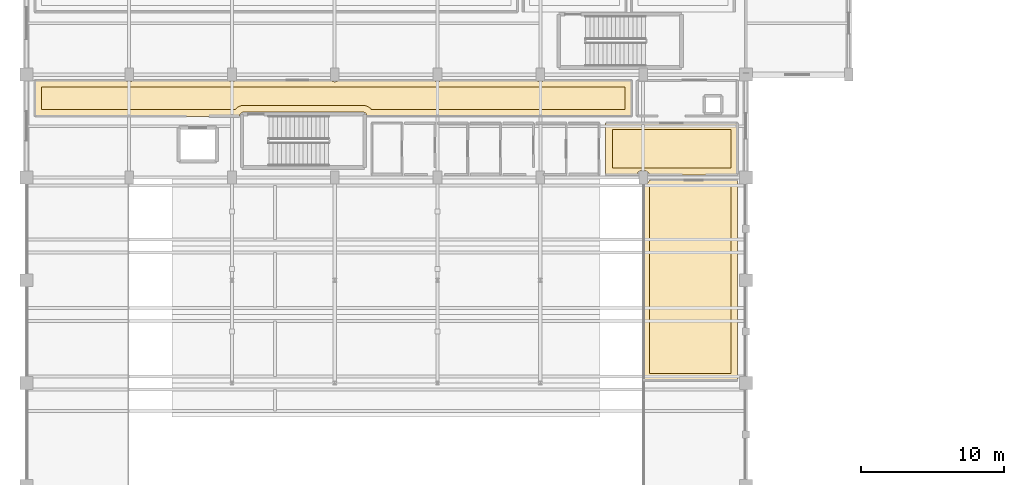
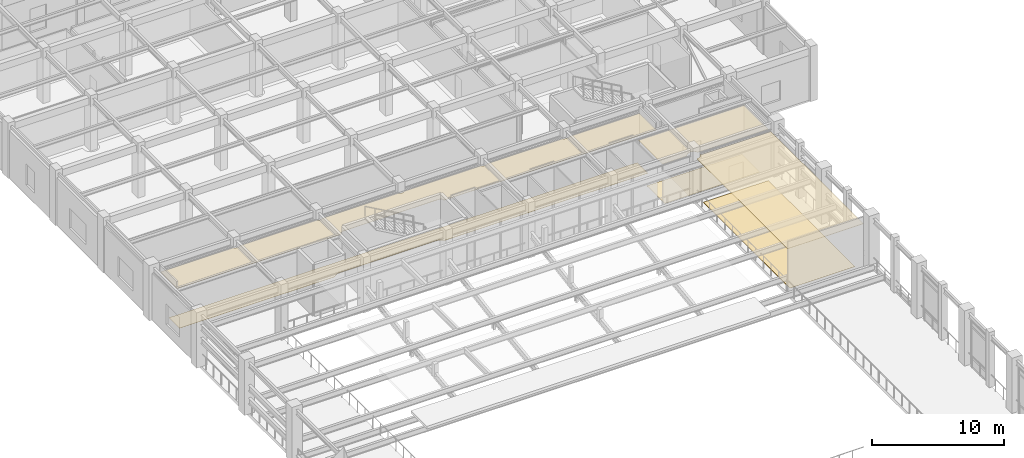
# One storey, part 103 of 117: 6 coverings.
"""IFC4 building model written with IfcOpenShell, lengths in metres."""

from ifc_helpers import new_model, si_unit, direction, frame, origin, place, context, subcontext, project, spatial, polyline, outline, extrude, material, layer, layer_set, type_object, element, save


model = new_model("IFC4")

# Units and contexts
model_context = context("Model", 3, precision=1e-05, world=origin(), true_north=direction((0.0, 1.0)))
body_context = subcontext(model_context, "Body", "Model", "MODEL_VIEW")
ifc_project = project(units=[si_unit("LENGTHUNIT", "METRE"), si_unit("AREAUNIT", "SQUARE_METRE"), si_unit("VOLUMEUNIT", "CUBIC_METRE"), si_unit("PLANEANGLEUNIT", "RADIAN"), si_unit("MASSUNIT", "GRAM", prefix="KILO")], contexts=[model_context])

# Site, building, storey
site_placement = place(None, origin())
site = spatial("IfcSite", under=ifc_project, at=site_placement, CompositionType="ELEMENT")
building_placement = place(site_placement, origin())
building = spatial("IfcBuilding", under=site, at=building_placement, Name="Carrowvane Square Congress Hotel", CompositionType="ELEMENT")
storey_placement = place(building_placement, frame((0.0, 0.0, 5.39990234375)))
storey = spatial("IfcBuildingStorey", under=building, at=storey_placement, Name="L01", CompositionType="ELEMENT", Elevation=5.39990234375)

# Coverings
ifc_material_1 = material(Name="Acoustic gypsum board", Category="gypsum")
ifc_layer_1 = layer(ifc_material_1, 0.014892578125)
ifc_layer_set_1 = layer_set([ifc_layer_1], Name="Acoustic gypsum board")
covering_type_1 = type_object("IfcCoveringType", Name="COV-CLG-AC15", PredefinedType="CEILING", material=ifc_layer_set_1)
covering_1_placement = place(storey_placement, frame((0.0, 0.0, 4.087890625)))
element("IfcCovering", 1, at=covering_1_placement, inside=storey, type_object=covering_type_1, Name="L01 AV and Broadcast Control Room acoustic ceiling", PredefinedType="CEILING", context=body_context, shape_type="SweptSolid", body=[
    extrude(outline(polyline([(52.197998046875, 52.419921875), (52.199951171875, 52.419921875), (61.39990234375, 52.419921875), (61.402099609375, 52.419921875), (61.40380859375, 52.419677734375), (61.40576171875, 52.419189453125), (61.40771484375, 52.41845703125), (61.409423828125, 52.41748046875), (61.4111328125, 52.41650390625), (61.41259765625, 52.41552734375), (61.4140625, 52.4140625), (61.41552734375, 52.41259765625), (61.41650390625, 52.4111328125), (61.41748046875, 52.409423828125), (61.41845703125, 52.40771484375), (61.419189453125, 52.40576171875), (61.419677734375, 52.40380859375), (61.419921875, 52.402099609375), (61.419921875, 52.39990234375), (61.419921875, 48.800048828125), (61.419921875, 48.798095703125), (61.419677734375, 48.796142578125), (61.419189453125, 48.794189453125), (61.41845703125, 48.792236328125), (61.41748046875, 48.79052734375), (61.41650390625, 48.788818359375), (61.41552734375, 48.787353515625), (61.4140625, 48.785888671875), (61.41259765625, 48.784423828125), (61.4111328125, 48.783447265625), (61.409423828125, 48.782470703125), (61.40771484375, 48.781494140625), (61.40576171875, 48.781005859375), (61.40380859375, 48.780517578125), (61.402099609375, 48.780029296875), (61.39990234375, 48.780029296875), (55.26611328125, 48.780029296875), (55.261962890625, 48.791259765625), (55.240966796875, 48.835693359375), (55.2158203125, 48.877685546875), (55.1865234375, 48.917236328125), (55.153564453125, 48.95361328125), (55.1171875, 48.986572265625), (55.077880859375, 49.015625), (55.03564453125, 49.041015625), (54.9912109375, 49.06201171875), (54.945068359375, 49.07861328125), (54.8974609375, 49.09033203125), (54.84912109375, 49.09765625), (54.800048828125, 49.10009765625), (54.7509765625, 49.09765625), (54.702392578125, 49.09033203125), (54.65478515625, 49.07861328125), (54.608642578125, 49.06201171875), (54.564208984375, 49.041015625), (54.522216796875, 49.015625), (54.48291015625, 48.986572265625), (54.4462890625, 48.95361328125), (54.41357421875, 48.917236328125), (54.38427734375, 48.877685546875), (54.35888671875, 48.835693359375), (54.338134765625, 48.791259765625), (54.333984375, 48.780029296875), (52.199951171875, 48.780029296875), (52.197998046875, 48.780029296875), (52.196044921875, 48.780517578125), (52.194091796875, 48.781005859375), (52.1923828125, 48.781494140625), (52.190673828125, 48.782470703125), (52.18896484375, 48.783447265625), (52.187255859375, 48.784423828125), (52.185791015625, 48.785888671875), (52.1845703125, 48.787353515625), (52.183349609375, 48.788818359375), (52.182373046875, 48.79052734375), (52.181396484375, 48.792236328125), (52.180908203125, 48.794189453125), (52.180419921875, 48.796142578125), (52.18017578125, 48.798095703125), (52.179931640625, 48.800048828125), (52.179931640625, 52.39990234375), (52.18017578125, 52.402099609375), (52.180419921875, 52.40380859375), (52.180908203125, 52.40576171875), (52.181396484375, 52.40771484375), (52.182373046875, 52.409423828125), (52.183349609375, 52.4111328125), (52.1845703125, 52.41259765625), (52.185791015625, 52.4140625), (52.187255859375, 52.41552734375), (52.18896484375, 52.41650390625), (52.190673828125, 52.41748046875), (52.1923828125, 52.41845703125), (52.194091796875, 52.419189453125), (52.196044921875, 52.419677734375), (52.197998046875, 52.419921875)])), origin(), (0.0, 0.0, 1.0), 0.014892578125),
])
ifc_material_2 = material(Name="Acoustic gypsum board", Category="gypsum")
ifc_layer_2 = layer(ifc_material_2, 0.02001953125)
ifc_layer_set_2 = layer_set([ifc_layer_2], Name="Acoustic gypsum board")
covering_type_2 = type_object("IfcCoveringType", Name="COV-CLG-AC20", PredefinedType="CEILING", material=ifc_layer_set_2)
covering_2_placement = place(storey_placement, frame((0.0, 0.0, 4.110107421875)))
element("IfcCovering", 2, at=covering_2_placement, inside=storey, type_object=covering_type_2, Name="L01 Upper Congress Circle Foyer acoustic ceiling", PredefinedType="CEILING", context=body_context, shape_type="SweptSolid", body=[
    extrude(outline(polyline([(40.208740234375, 55.338134765625), (40.2548828125, 55.321533203125), (40.302490234375, 55.3095703125), (40.35107421875, 55.302490234375), (40.39990234375, 55.300048828125), (40.448974609375, 55.302490234375), (40.49755859375, 55.3095703125), (40.545166015625, 55.321533203125), (40.59130859375, 55.338134765625), (40.6357421875, 55.35888671875), (40.677734375, 55.38427734375), (40.71728515625, 55.41357421875), (40.724365234375, 55.419921875), (47.275634765625, 55.419921875), (47.28271484375, 55.41357421875), (47.322265625, 55.38427734375), (47.3642578125, 55.35888671875), (47.40869140625, 55.338134765625), (47.454833984375, 55.321533203125), (47.50244140625, 55.3095703125), (47.551025390625, 55.302490234375), (47.60009765625, 55.300048828125), (47.64892578125, 55.302490234375), (47.697509765625, 55.3095703125), (47.7451171875, 55.321533203125), (47.791259765625, 55.338134765625), (47.835693359375, 55.35888671875), (47.877685546875, 55.38427734375), (47.917236328125, 55.41357421875), (47.92431640625, 55.419921875), (54.0, 55.419921875), (54.001953125, 55.419921875), (54.00390625, 55.419677734375), (54.005859375, 55.419189453125), (54.0078125, 55.41845703125), (54.009521484375, 55.41748046875), (54.010986328125, 55.41650390625), (54.0126953125, 55.41552734375), (54.01416015625, 55.4140625), (54.015380859375, 55.41259765625), (54.0166015625, 55.4111328125), (54.017578125, 55.409423828125), (54.0185546875, 55.40771484375), (54.01904296875, 55.40576171875), (54.01953125, 55.40380859375), (54.02001953125, 55.402099609375), (54.02001953125, 55.39990234375), (54.02001953125, 52.89990234375), (54.02001953125, 52.89794921875), (54.01953125, 52.89599609375), (54.01904296875, 52.894287109375), (54.0185546875, 52.892333984375), (54.017578125, 52.890625), (54.0166015625, 52.888916015625), (54.015380859375, 52.88720703125), (54.01416015625, 52.885986328125), (54.0126953125, 52.884521484375), (54.010986328125, 52.88330078125), (54.009521484375, 52.88232421875), (54.0078125, 52.881591796875), (54.005859375, 52.880859375), (54.00390625, 52.88037109375), (54.001953125, 52.880126953125), (54.0, 52.8798828125), (35.469970703125, 52.8798828125), (35.468017578125, 52.880126953125), (35.466064453125, 52.88037109375), (35.464111328125, 52.880859375), (35.462158203125, 52.881591796875), (35.46044921875, 52.88232421875), (35.458740234375, 52.883544921875), (35.45703125, 52.884765625), (35.455810546875, 52.885986328125), (35.454345703125, 52.8876953125), (35.453125, 52.88916015625), (35.4521484375, 52.890869140625), (35.451416015625, 52.892822265625), (35.45068359375, 52.894775390625), (35.4501953125, 52.896484375), (35.449951171875, 52.898681640625), (35.445068359375, 52.968505859375), (35.430908203125, 53.01513671875), (35.407958984375, 53.05859375), (35.376953125, 53.096435546875), (35.339111328125, 53.12744140625), (35.2958984375, 53.150634765625), (35.249267578125, 53.1650390625), (35.198974609375, 53.169921875), (26.800537109375, 53.169921875), (26.750732421875, 53.1650390625), (26.7041015625, 53.150634765625), (26.660888671875, 53.12744140625), (26.623046875, 53.096435546875), (26.592041015625, 53.05859375), (26.569091796875, 53.01513671875), (26.554931640625, 52.968505859375), (26.550048828125, 52.898681640625), (26.5498046875, 52.896484375), (26.54931640625, 52.894775390625), (26.548583984375, 52.892822265625), (26.5478515625, 52.890869140625), (26.546875, 52.88916015625), (26.545654296875, 52.8876953125), (26.544189453125, 52.885986328125), (26.54296875, 52.884765625), (26.541259765625, 52.883544921875), (26.53955078125, 52.88232421875), (26.537841796875, 52.881591796875), (26.535888671875, 52.880859375), (26.533935546875, 52.88037109375), (26.531982421875, 52.880126953125), (26.530029296875, 52.8798828125), (12.199951171875, 52.8798828125), (12.197998046875, 52.880126953125), (12.196044921875, 52.88037109375), (12.194091796875, 52.880859375), (12.1923828125, 52.881591796875), (12.190673828125, 52.88232421875), (12.18896484375, 52.88330078125), (12.187255859375, 52.884521484375), (12.185791015625, 52.885986328125), (12.1845703125, 52.88720703125), (12.183349609375, 52.888916015625), (12.182373046875, 52.890625), (12.181396484375, 52.892333984375), (12.180908203125, 52.894287109375), (12.180419921875, 52.89599609375), (12.18017578125, 52.89794921875), (12.179931640625, 52.89990234375), (12.179931640625, 55.39990234375), (12.18017578125, 55.402099609375), (12.180419921875, 55.40380859375), (12.180908203125, 55.40576171875), (12.181396484375, 55.40771484375), (12.182373046875, 55.409423828125), (12.183349609375, 55.4111328125), (12.1845703125, 55.41259765625), (12.185791015625, 55.4140625), (12.187255859375, 55.41552734375), (12.18896484375, 55.41650390625), (12.190673828125, 55.41748046875), (12.1923828125, 55.41845703125), (12.194091796875, 55.419189453125), (12.196044921875, 55.419677734375), (12.197998046875, 55.419921875), (12.199951171875, 55.419921875), (18.4755859375, 55.419921875), (18.48291015625, 55.41357421875), (18.522216796875, 55.38427734375), (18.564208984375, 55.35888671875), (18.608642578125, 55.338134765625), (18.65478515625, 55.321533203125), (18.702392578125, 55.3095703125), (18.7509765625, 55.302490234375), (18.800048828125, 55.300048828125), (18.84912109375, 55.302490234375), (18.8974609375, 55.3095703125), (18.945068359375, 55.321533203125), (18.9912109375, 55.338134765625), (19.03564453125, 55.35888671875), (19.077880859375, 55.38427734375), (19.1171875, 55.41357421875), (19.12451171875, 55.419921875), (25.675537109375, 55.419921875), (25.682861328125, 55.41357421875), (25.72216796875, 55.38427734375), (25.764404296875, 55.35888671875), (25.80859375, 55.338134765625), (25.85498046875, 55.321533203125), (25.902587890625, 55.3095703125), (25.950927734375, 55.302490234375), (26.0, 55.300048828125), (26.049072265625, 55.302490234375), (26.097412109375, 55.3095703125), (26.14501953125, 55.321533203125), (26.19140625, 55.338134765625), (26.235595703125, 55.35888671875), (26.27783203125, 55.38427734375), (26.317138671875, 55.41357421875), (26.324462890625, 55.419921875), (32.87548828125, 55.419921875), (32.8828125, 55.41357421875), (32.922119140625, 55.38427734375), (32.96435546875, 55.35888671875), (33.0087890625, 55.338134765625), (33.054931640625, 55.321533203125), (33.1025390625, 55.3095703125), (33.15087890625, 55.302490234375), (33.199951171875, 55.300048828125), (33.2490234375, 55.302490234375), (33.297607421875, 55.3095703125), (33.34521484375, 55.321533203125), (33.391357421875, 55.338134765625), (33.435791015625, 55.35888671875), (33.477783203125, 55.38427734375), (33.51708984375, 55.41357421875), (33.5244140625, 55.419921875), (40.07568359375, 55.419921875), (40.082763671875, 55.41357421875), (40.122314453125, 55.38427734375), (40.164306640625, 55.35888671875), (40.208740234375, 55.338134765625)])), origin(), (0.0, 0.0, 1.0), 0.02001953125),
])
ifc_material_3 = material(Name="Anodised aluminium", Category="aluminium")
ifc_layer_3 = layer(ifc_material_3, 0.030029296875)
ifc_layer_set_3 = layer_set([ifc_layer_3], Name="Anodised aluminium")
covering_type_3 = type_object("IfcCoveringType", Name="COV-CLG-MT30", PredefinedType="CEILING", material=ifc_layer_set_3)
covering_3_placement = place(storey_placement, frame((0.0, 0.0, 4.072998046875)))
element("IfcCovering", 3, at=covering_3_placement, inside=storey, type_object=covering_type_3, Name="L01 Plenary Congress Upper Circle Seating acoustic ceiling", PredefinedType="CEILING", context=body_context, shape_type="SweptSolid", body=[
    extrude(outline(polyline([(61.41552734375, 34.38720703125), (61.4140625, 34.385986328125), (61.41259765625, 34.384521484375), (61.4111328125, 34.38330078125), (61.409423828125, 34.38232421875), (61.40771484375, 34.381591796875), (61.40576171875, 34.380859375), (61.40380859375, 34.38037109375), (61.402099609375, 34.380126953125), (61.39990234375, 34.3798828125), (54.81005859375, 34.3798828125), (54.80810546875, 34.380126953125), (54.80615234375, 34.38037109375), (54.80419921875, 34.380859375), (54.80224609375, 34.381591796875), (54.800537109375, 34.38232421875), (54.798828125, 34.38330078125), (54.79736328125, 34.384521484375), (54.7958984375, 34.385986328125), (54.79443359375, 34.38720703125), (54.79345703125, 34.388916015625), (54.79248046875, 34.390625), (54.79150390625, 34.392333984375), (54.791015625, 34.394287109375), (54.790283203125, 34.39599609375), (54.7900390625, 34.39794921875), (54.7900390625, 34.39990234375), (54.7900390625, 48.1005859375), (54.800048828125, 48.10009765625), (54.84912109375, 48.102294921875), (54.8974609375, 48.109619140625), (54.945068359375, 48.12158203125), (54.9912109375, 48.13818359375), (55.03564453125, 48.158935546875), (55.077880859375, 48.184326171875), (55.1171875, 48.21337890625), (55.153564453125, 48.246337890625), (55.1865234375, 48.28271484375), (55.2158203125, 48.322265625), (55.240966796875, 48.3642578125), (55.261962890625, 48.40869140625), (55.26611328125, 48.419921875), (61.39990234375, 48.419921875), (61.402099609375, 48.419921875), (61.40380859375, 48.419677734375), (61.40576171875, 48.419189453125), (61.40771484375, 48.41845703125), (61.409423828125, 48.41748046875), (61.4111328125, 48.41650390625), (61.41259765625, 48.41552734375), (61.4140625, 48.4140625), (61.41552734375, 48.41259765625), (61.41650390625, 48.4111328125), (61.41748046875, 48.409423828125), (61.41845703125, 48.40771484375), (61.419189453125, 48.40576171875), (61.419677734375, 48.40380859375), (61.419921875, 48.402099609375), (61.419921875, 48.39990234375), (61.419921875, 34.39990234375), (61.419921875, 34.39794921875), (61.419677734375, 34.39599609375), (61.419189453125, 34.394287109375), (61.41845703125, 34.392333984375), (61.41748046875, 34.390625), (61.41650390625, 34.388916015625), (61.41552734375, 34.38720703125)])), origin(), (0.0, 0.0, 1.0), 0.02978515625),
])
ifc_material_4 = material(Name="European oak timber", Category="wood")
ifc_layer_4 = layer(ifc_material_4, 0.013916015625)
ifc_layer_set_4 = layer_set([ifc_layer_4], Name="European oak timber")
covering_type_4 = type_object("IfcCoveringType", Name="COV-FLR-CRP14", PredefinedType="FLOORING", material=ifc_layer_set_4)
covering_4_placement = place(storey_placement, origin())
element("IfcCovering", 4, at=covering_4_placement, inside=storey, type_object=covering_type_4, Name="L01 Plenary Congress Upper Circle Seating floor finish", PredefinedType="FLOORING", context=body_context, shape_type="SweptSolid", body=[
    extrude(outline(polyline([(55.260009765625, 34.85009765625), (55.260009765625, 47.949951171875), (60.949951171875, 47.949951171875), (60.949951171875, 34.85009765625), (55.260009765625, 34.85009765625)])), origin(), (0.0, 0.0, 1.0), 0.01416015625),
])
ifc_material_5 = material(Name="European oak timber", Category="wood")
ifc_layer_5 = layer(ifc_material_5, 0.01806640625)
ifc_layer_set_5 = layer_set([ifc_layer_5], Name="European oak timber")
covering_type_5 = type_object("IfcCoveringType", Name="COV-FLR-OAK18", PredefinedType="FLOORING", material=ifc_layer_set_5)
covering_5_placement = place(storey_placement, origin())
element("IfcCovering", 5, at=covering_5_placement, inside=storey, type_object=covering_type_5, Name="L01 AV and Broadcast Control Room floor finish", PredefinedType="FLOORING", context=body_context, shape_type="SweptSolid", body=[
    extrude(outline(polyline([(60.949951171875, 51.949951171875), (60.949951171875, 49.25), (54.800048828125, 49.25), (52.64990234375, 49.25), (52.64990234375, 51.949951171875), (60.949951171875, 51.949951171875)])), origin(), (0.0, 0.0, 1.0), 0.01806640625),
])
ifc_material_6 = material(Name="Ceramic porcelain tile", Category="stone")
ifc_layer_6 = layer(ifc_material_6, 0.02197265625)
ifc_layer_set_6 = layer_set([ifc_layer_6], Name="Ceramic porcelain tile")
covering_type_6 = type_object("IfcCoveringType", Name="COV-FLR-TRZ22", PredefinedType="FLOORING", material=ifc_layer_set_6)
covering_6_placement = place(storey_placement, origin())
element("IfcCovering", 6, at=covering_6_placement, inside=storey, type_object=covering_type_6, Name="L01 Upper Congress Circle Foyer floor finish", PredefinedType="FLOORING", context=body_context, shape_type="SweptSolid", body=[
    extrude(outline(polyline([(53.550048828125, 54.949951171875), (53.550048828125, 53.35009765625), (35.7763671875, 53.35009765625), (35.773193359375, 53.3544921875), (35.739501953125, 53.3955078125), (35.7099609375, 53.42822265625), (35.677490234375, 53.4580078125), (35.636474609375, 53.491455078125), (35.60107421875, 53.517822265625), (35.563232421875, 53.540771484375), (35.5166015625, 53.565673828125), (35.476806640625, 53.584716796875), (35.435302734375, 53.599609375), (35.384521484375, 53.614990234375), (35.341552734375, 53.6259765625), (35.2978515625, 53.632568359375), (35.24462890625, 53.6376953125), (35.199951171875, 53.639892578125), (26.799560546875, 53.639892578125), (26.754638671875, 53.6376953125), (26.701904296875, 53.632568359375), (26.658203125, 53.6259765625), (26.615478515625, 53.614990234375), (26.564697265625, 53.599609375), (26.523193359375, 53.584716796875), (26.4833984375, 53.565673828125), (26.436767578125, 53.540771484375), (26.39892578125, 53.517822265625), (26.363525390625, 53.491455078125), (26.322509765625, 53.4580078125), (26.2900390625, 53.42822265625), (26.260498046875, 53.3955078125), (26.226806640625, 53.3544921875), (26.2236328125, 53.35009765625), (12.64990234375, 53.35009765625), (12.64990234375, 54.949951171875), (53.550048828125, 54.949951171875)])), origin(), (0.0, 0.0, 1.0), 0.022216796875),
])

save(model, "model.ifc")
